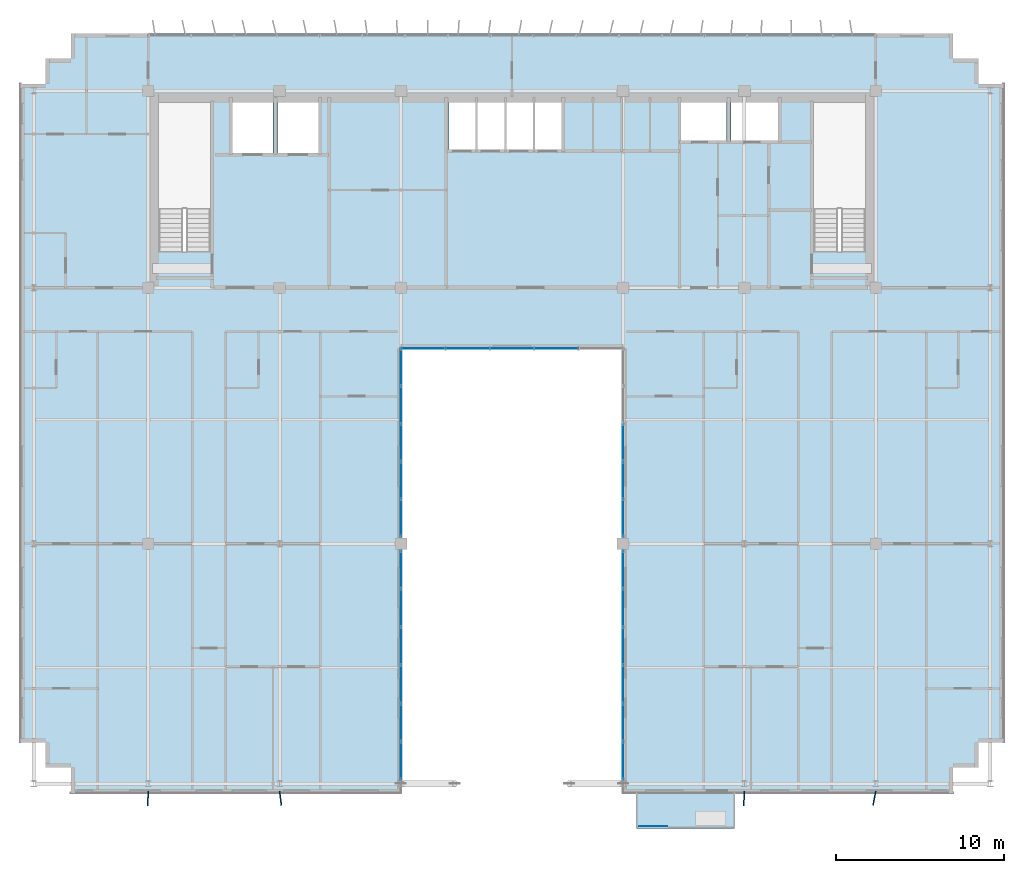
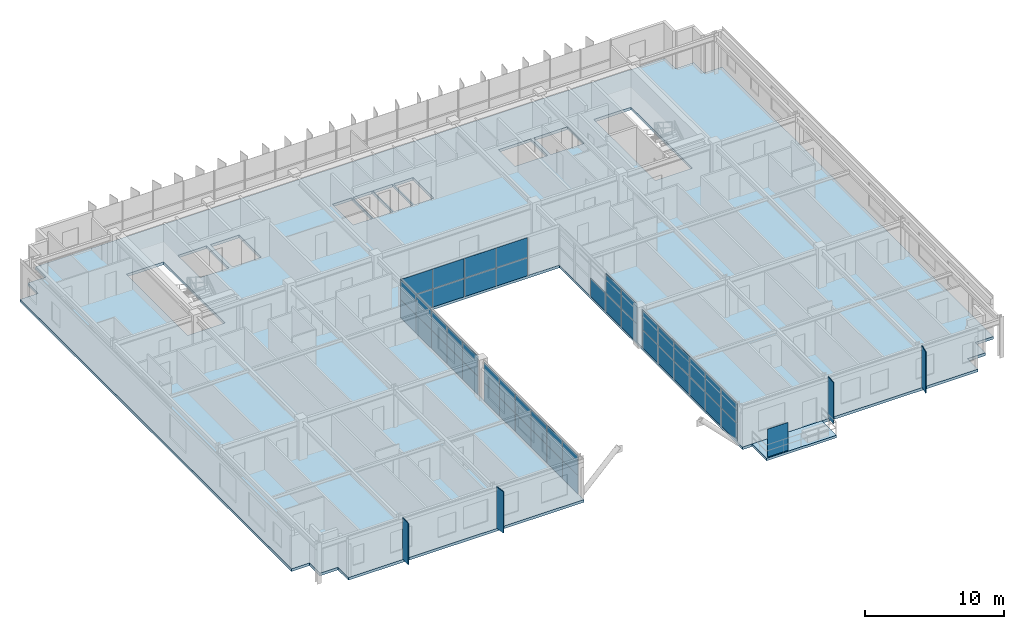
# One storey, part 25 of 34: 52 plates, 2 slabs, 5 elements without a shape of their own.
"""IFC4 building model written with IfcOpenShell, lengths in metres."""

from ifc_helpers import new_model, si_unit, direction, frame, origin, origin_2d, place, context, subcontext, project, spatial, polyline, rectangle, outline, extrude, source, transform, mapped, material, layer, layer_set, type_object, element, aggregate, save


model = new_model("IFC4")

# Units and contexts
model_context = context("Model", 3, precision=1e-05, world=origin(), true_north=direction((0.0, 1.0)))
body_context = subcontext(model_context, "Body", "Model", "MODEL_VIEW")
ifc_project = project(units=[si_unit("LENGTHUNIT", "METRE"), si_unit("AREAUNIT", "SQUARE_METRE"), si_unit("VOLUMEUNIT", "CUBIC_METRE"), si_unit("PLANEANGLEUNIT", "RADIAN"), si_unit("MASSUNIT", "GRAM", prefix="KILO")], contexts=[model_context])

# Site, building, storey
site_placement = place(None, origin())
site = spatial("IfcSite", under=ifc_project, at=site_placement, CompositionType="ELEMENT")
building_placement = place(site_placement, origin())
building = spatial("IfcBuilding", under=site, at=building_placement, Name="Trelvane Seafront Commons", CompositionType="ELEMENT")
storey_placement = place(building_placement, frame((0.0, 0.0, 197.699951171875)))
storey = spatial("IfcBuildingStorey", under=building, at=storey_placement, Name="L51", CompositionType="ELEMENT", Elevation=197.699951171875)

# Slabs
ifc_material_1 = material(Name="Concrete C40/50", Category="concrete")
ifc_layer_1 = layer(ifc_material_1, 0.219970703125, Name="ARCH-BALC-220")
ifc_layer_set_1 = layer_set([ifc_layer_1], Name="Concrete C40/50")
slab_type_1 = type_object("IfcSlabType", Name="ARCH-BALC-220", PredefinedType="FLOOR", material=ifc_layer_set_1)
slab_1_placement = place(storey_placement, frame((0.0, 0.0, -0.219970703125)))
element("IfcSlab", 1, at=slab_1_placement, inside=storey, type_object=slab_type_1, Name="L51 Cantilevered Tree Balcony Loggia 2", PredefinedType="FLOOR", context=body_context, shape_type="SweptSolid", body=[
    extrude(outline(polyline([(44.60009765625, 1.300048828125), (50.39990234375, 1.300048828125), (50.39990234375, 3.39990234375), (44.60009765625, 3.39990234375), (44.60009765625, 1.300048828125)])), origin(), (0.0, 0.0, 1.0), 0.219970703125),
])
ifc_material_2 = material(Name="Concrete C50/60", Category="concrete")
ifc_layer_2 = layer(ifc_material_2, 0.239990234375, Name="STR-SLB-Z4-240")
ifc_layer_set_2 = layer_set([ifc_layer_2], Name="Concrete C50/60")
slab_type_2 = type_object("IfcSlabType", Name="STR-SLB-Z4-240", PredefinedType="FLOOR", material=ifc_layer_set_2)
slab_2_placement = place(storey_placement, frame((0.0, 0.0, -0.239990234375)))
element("IfcSlab", 2, at=slab_2_placement, inside=storey, type_object=slab_type_2, Name="L51 Structural Floor Slab", PredefinedType="FLOOR", context=body_context, shape_type="SweptSolid", body=[
    extrude(outline(polyline([(11.0, 3.39990234375), (30.60009765625, 3.39990234375), (30.60009765625, 29.800048828125), (43.800048828125, 29.800048828125), (43.800048828125, 3.39990234375), (63.39990234375, 3.39990234375), (63.39990234375, 4.89990234375), (64.89990234375, 4.89990234375), (64.89990234375, 6.39990234375), (66.39990234375, 6.39990234375), (66.39990234375, 45.5), (64.89990234375, 45.5), (64.89990234375, 47.0), (63.39990234375, 47.0), (63.39990234375, 48.5), (11.0, 48.5), (11.0, 47.0), (9.5, 47.0), (9.5, 45.5), (8.0, 45.5), (8.0, 6.39990234375), (9.5, 6.39990234375), (9.5, 4.89990234375), (11.0, 4.89990234375), (11.0, 3.39990234375)]), holes=[polyline([(19.300048828125, 35.550048828125), (16.199951171875, 35.550048828125), (16.199951171875, 44.39990234375), (19.300048828125, 44.39990234375), (19.300048828125, 35.550048828125)]), polyline([(58.199951171875, 35.550048828125), (55.10009765625, 35.550048828125), (55.10009765625, 44.39990234375), (58.199951171875, 44.39990234375), (58.199951171875, 35.550048828125)]), polyline([(23.0, 41.39990234375), (20.60009765625, 41.39990234375), (20.60009765625, 44.60009765625), (23.0, 44.60009765625), (23.0, 41.39990234375)]), polyline([(23.300048828125, 41.39990234375), (23.300048828125, 44.60009765625), (25.699951171875, 44.60009765625), (25.699951171875, 41.39990234375), (23.300048828125, 41.39990234375)]), polyline([(33.449951171875, 41.60009765625), (33.449951171875, 44.60009765625), (35.070068359375, 44.60009765625), (35.070068359375, 41.60009765625), (33.449951171875, 41.60009765625)]), polyline([(36.77001953125, 41.60009765625), (35.14990234375, 41.60009765625), (35.14990234375, 44.60009765625), (36.77001953125, 44.60009765625), (36.77001953125, 41.60009765625)]), polyline([(38.469970703125, 41.60009765625), (36.85009765625, 41.60009765625), (36.85009765625, 44.60009765625), (38.469970703125, 44.60009765625), (38.469970703125, 41.60009765625)]), polyline([(40.169921875, 41.60009765625), (38.550048828125, 41.60009765625), (38.550048828125, 44.60009765625), (40.169921875, 44.60009765625), (40.169921875, 41.60009765625)]), polyline([(47.25, 42.14990234375), (47.25, 44.550048828125), (49.949951171875, 44.550048828125), (49.949951171875, 42.14990234375), (47.25, 42.14990234375)]), polyline([(50.199951171875, 42.14990234375), (50.199951171875, 44.550048828125), (53.0, 44.550048828125), (53.0, 42.14990234375), (50.199951171875, 42.14990234375)])]), origin(), (0.0, 0.0, 1.0), 0.239990234375),
])

# Plates
ifc_material_3 = material(Name="Perforated anodised aluminium screen", Category="aluminium")
ifc_layer_3 = layer(ifc_material_3, 0.01611328125, Name="ARCH-PLATE-SCREEN")
ifc_layer_set_3 = layer_set([ifc_layer_3], Name="Perforated anodised aluminium screen")
plate_type_1 = type_object("IfcPlateType", Name="ARCH-PLATE-SCREEN", PredefinedType="USERDEFINED", material=ifc_layer_set_3)
shared_shape_1 = source(origin(), body_context, "Body", "SweptSolid", [
    extrude(rectangle(XDim=1.681884765625, YDim=0.01611328125, at=origin_2d()), origin(), (0.0, 0.0, 1.0), 2.449951171875),
])
plate_1_placement = place(storey_placement, frame((45.591064453125, 1.419921875, 0.0), z_axis=(0.0, 0.0, 1.0), x_axis=(1.0, 0.0, 0.0)))
element("IfcPlate", 3, at=plate_1_placement, inside=storey, type_object=plate_type_1, Name="SCR-L51-00180", ObjectType="SCREEN", PredefinedType="USERDEFINED", context=body_context, shape_type="MappedRepresentation", body=[
    mapped(shared_shape_1, transform((0.0, 0.0, 0.0), x_axis=(1.0, 0.0, 0.0), y_axis=(0.0, 1.0, 0.0), z_axis=(0.0, 0.0, 1.0), scale=1.0)),
])
ifc_material_4 = material(Name="Anodised pale-silver aluminium", Category="aluminium")
ifc_layer_4 = layer(ifc_material_4, 0.06005859375, Name="ARCH-PLATE-FIN900")
ifc_layer_set_4 = layer_set([ifc_layer_4], Name="Anodised pale-silver aluminium")
plate_type_2 = type_object("IfcPlateType", Name="ARCH-PLATE-FIN900", PredefinedType="USERDEFINED", material=ifc_layer_set_4)
shared_shape_2 = source(origin(), body_context, "Body", "SweptSolid", [
    extrude(rectangle(XDim=0.85009765625, YDim=0.06005859375, at=origin_2d()), origin(), (0.0, 0.0, 1.0), 3.639892578125),
])
for number, where, z_axis, x_axis, name in (
    (4, (15.581787109375, 3.075439453125, -0.02001953125), (0.0, 0.0, 1.0), (-0.042707430911, -0.999087621455, 0.0), "FIN-S-L51-01417"),
    (5, (50.981201171875, 3.075439453125, -0.02001953125), (0.0, 0.0, 1.0), (-0.044351716176, -0.999015978487, 0.0), "FIN-S-L51-01419"),
    (6, (58.72021484375, 3.08251953125, -0.02001953125), (0.0, 0.0, 1.0), (-0.187647042, -0.982236523261, 0.0), "FIN-S-L51-01420"),
):
    element("IfcPlate", number, at=place(storey_placement, frame(where, z_axis=z_axis, x_axis=x_axis)), inside=storey, type_object=plate_type_2, Name=name, ObjectType="FIN", PredefinedType="USERDEFINED", context=body_context, shape_type="MappedRepresentation", body=[
        mapped(shared_shape_2, transform((0.0, 0.0, 0.0), x_axis=(1.0, 0.0, 0.0), y_axis=(0.0, 1.0, 0.0), z_axis=(0.0, 0.0, 1.0), scale=1.0)),
    ])
shared_shape_3 = source(origin(), body_context, "Body", "SweptSolid", [
    extrude(rectangle(XDim=0.849853515625, YDim=0.06005859375, at=origin_2d()), origin(), (0.0, 0.0, 1.0), 3.639892578125),
])
plate_2_placement = place(storey_placement, frame((23.451904296875, 3.078125, -0.02001953125), z_axis=(0.0, 0.0, 1.0), x_axis=(0.122007927803, -0.992529125796, 0.0)))
element("IfcPlate", 7, at=plate_2_placement, inside=storey, type_object=plate_type_2, Name="FIN-S-L51-01418", ObjectType="FIN", PredefinedType="USERDEFINED", context=body_context, shape_type="MappedRepresentation", body=[
    mapped(shared_shape_3, transform((0.0, 0.0, 0.0), x_axis=(1.0, 0.0, 0.0), y_axis=(0.0, 1.0, 0.0), z_axis=(0.0, 0.0, 1.0), scale=1.0)),
])

# Curtain wall, plates
curtain_wall_type = type_object("IfcCurtainWallType", Name="ARCH-CW3-PORTAL", PredefinedType="NOTDEFINED", material=ifc_material_4)
curtain_wall_1_placement = place(storey_placement, origin())
curtain_wall_1 = element("IfcCurtainWall", 8, at=curtain_wall_1_placement, inside=storey, type_object=curtain_wall_type, Name="CW-L51-VP-0085", PredefinedType="NOTDEFINED")
ifc_material_5 = material(Name="Low-E coastal double glazing", Category="glass")
ifc_layer_5 = layer(ifc_material_5, 0.033935546875, Name="ARCH-CW-GLAZ-34")
ifc_layer_set_5 = layer_set([ifc_layer_5], Name="Low-E coastal double glazing")
plate_type_3 = type_object("IfcPlateType", Name="ARCH-CW-GLAZ-34", PredefinedType="CURTAIN_PANEL", material=ifc_layer_set_5)
shared_shape_4 = source(origin(), body_context, "Body", "SweptSolid", [
    extrude(rectangle(XDim=2.246826171875, YDim=0.0380859375, at=origin_2d()), origin(), (0.0, 0.0, 1.0), 1.594970703125),
])
plate_3_placement = place(storey_placement, frame((30.60009765625, 5.310302734375, 0.0), z_axis=(0.0, 0.0, 1.0), x_axis=(0.0, 1.0, 0.0)))
plate_3 = element("IfcPlate", 9, at=plate_3_placement, type_object=plate_type_3, Name="CW-L51-VP-0085-P00-1", PredefinedType="CURTAIN_PANEL", context=body_context, shape_type="MappedRepresentation", body=[
    mapped(shared_shape_4, transform((0.0, 0.0, 0.0), x_axis=(1.0, 0.0, 0.0), y_axis=(0.0, 1.0, 0.0), z_axis=(0.0, 0.0, 1.0), scale=1.0)),
])
plate_4_placement = place(storey_placement, frame((30.60009765625, 7.581298828125, 0.0), z_axis=(0.0, 0.0, 1.0), x_axis=(0.0, 1.0, 0.0)))
plate_4 = element("IfcPlate", 10, at=plate_4_placement, type_object=plate_type_3, Name="CW-L51-VP-0085-P01-1", PredefinedType="CURTAIN_PANEL", context=body_context, shape_type="MappedRepresentation", body=[
    mapped(shared_shape_4, transform((0.0, 0.0, 0.0), x_axis=(1.0, 0.0, 0.0), y_axis=(0.0, 1.0, 0.0), z_axis=(0.0, 0.0, 1.0), scale=1.0)),
])
plate_5_placement = place(storey_placement, frame((30.60009765625, 9.85205078125, 0.0), z_axis=(0.0, 0.0, 1.0), x_axis=(0.0, 1.0, 0.0)))
plate_5 = element("IfcPlate", 11, at=plate_5_placement, type_object=plate_type_3, Name="CW-L51-VP-0085-P02-1", PredefinedType="CURTAIN_PANEL", context=body_context, shape_type="MappedRepresentation", body=[
    mapped(shared_shape_4, transform((0.0, 0.0, 0.0), x_axis=(1.0, 0.0, 0.0), y_axis=(0.0, 1.0, 0.0), z_axis=(0.0, 0.0, 1.0), scale=1.0)),
])
plate_6_placement = place(storey_placement, frame((30.60009765625, 12.122802734375, 0.0), z_axis=(0.0, 0.0, 1.0), x_axis=(0.0, 1.0, 0.0)))
plate_6 = element("IfcPlate", 12, at=plate_6_placement, type_object=plate_type_3, Name="CW-L51-VP-0085-P03-1", PredefinedType="CURTAIN_PANEL", context=body_context, shape_type="MappedRepresentation", body=[
    mapped(shared_shape_4, transform((0.0, 0.0, 0.0), x_axis=(1.0, 0.0, 0.0), y_axis=(0.0, 1.0, 0.0), z_axis=(0.0, 0.0, 1.0), scale=1.0)),
])
plate_7_placement = place(storey_placement, frame((30.60009765625, 14.393798828125, 0.0), z_axis=(0.0, 0.0, 1.0), x_axis=(0.0, 1.0, 0.0)))
plate_7 = element("IfcPlate", 13, at=plate_7_placement, type_object=plate_type_3, Name="CW-L51-VP-0085-P04-1", PredefinedType="CURTAIN_PANEL", context=body_context, shape_type="MappedRepresentation", body=[
    mapped(shared_shape_4, transform((0.0, 0.0, 0.0), x_axis=(1.0, 0.0, 0.0), y_axis=(0.0, 1.0, 0.0), z_axis=(0.0, 0.0, 1.0), scale=1.0)),
])
plate_8_placement = place(storey_placement, frame((30.60009765625, 16.66455078125, 0.0), z_axis=(0.0, 0.0, 1.0), x_axis=(0.0, 1.0, 0.0)))
plate_8 = element("IfcPlate", 14, at=plate_8_placement, type_object=plate_type_3, Name="CW-L51-VP-0085-P05-1", PredefinedType="CURTAIN_PANEL", context=body_context, shape_type="MappedRepresentation", body=[
    mapped(shared_shape_4, transform((0.0, 0.0, 0.0), x_axis=(1.0, 0.0, 0.0), y_axis=(0.0, 1.0, 0.0), z_axis=(0.0, 0.0, 1.0), scale=1.0)),
])

curtain_wall_2_placement = place(storey_placement, origin())
curtain_wall_2 = element("IfcCurtainWall", 15, at=curtain_wall_2_placement, inside=storey, type_object=curtain_wall_type, Name="CW-L51-VP-0089", PredefinedType="NOTDEFINED")
plate_9_placement = place(storey_placement, frame((43.800048828125, 16.66455078125, 0.0), z_axis=(0.0, 0.0, 1.0), x_axis=(0.0, -1.0, 0.0)))
plate_9 = element("IfcPlate", 16, at=plate_9_placement, type_object=plate_type_3, Name="CW-L51-VP-0089-P00-1", PredefinedType="CURTAIN_PANEL", context=body_context, shape_type="MappedRepresentation", body=[
    mapped(shared_shape_4, transform((0.0, 0.0, 0.0), x_axis=(1.0, 0.0, 0.0), y_axis=(0.0, 1.0, 0.0), z_axis=(0.0, 0.0, 1.0), scale=1.0)),
])
plate_10_placement = place(storey_placement, frame((43.800048828125, 14.393798828125, 0.0), z_axis=(0.0, 0.0, 1.0), x_axis=(0.0, -1.0, 0.0)))
plate_10 = element("IfcPlate", 17, at=plate_10_placement, type_object=plate_type_3, Name="CW-L51-VP-0089-P01-1", PredefinedType="CURTAIN_PANEL", context=body_context, shape_type="MappedRepresentation", body=[
    mapped(shared_shape_4, transform((0.0, 0.0, 0.0), x_axis=(1.0, 0.0, 0.0), y_axis=(0.0, 1.0, 0.0), z_axis=(0.0, 0.0, 1.0), scale=1.0)),
])
plate_11_placement = place(storey_placement, frame((43.800048828125, 12.122802734375, 0.0), z_axis=(0.0, 0.0, 1.0), x_axis=(0.0, -1.0, 0.0)))
plate_11 = element("IfcPlate", 18, at=plate_11_placement, type_object=plate_type_3, Name="CW-L51-VP-0089-P02-1", PredefinedType="CURTAIN_PANEL", context=body_context, shape_type="MappedRepresentation", body=[
    mapped(shared_shape_4, transform((0.0, 0.0, 0.0), x_axis=(1.0, 0.0, 0.0), y_axis=(0.0, 1.0, 0.0), z_axis=(0.0, 0.0, 1.0), scale=1.0)),
])
plate_12_placement = place(storey_placement, frame((43.800048828125, 9.85205078125, 0.0), z_axis=(0.0, 0.0, 1.0), x_axis=(0.0, -1.0, 0.0)))
plate_12 = element("IfcPlate", 19, at=plate_12_placement, type_object=plate_type_3, Name="CW-L51-VP-0089-P03-1", PredefinedType="CURTAIN_PANEL", context=body_context, shape_type="MappedRepresentation", body=[
    mapped(shared_shape_4, transform((0.0, 0.0, 0.0), x_axis=(1.0, 0.0, 0.0), y_axis=(0.0, 1.0, 0.0), z_axis=(0.0, 0.0, 1.0), scale=1.0)),
])
plate_13_placement = place(storey_placement, frame((43.800048828125, 7.581298828125, 0.0), z_axis=(0.0, 0.0, 1.0), x_axis=(0.0, -1.0, 0.0)))
plate_13 = element("IfcPlate", 20, at=plate_13_placement, type_object=plate_type_3, Name="CW-L51-VP-0089-P04-1", PredefinedType="CURTAIN_PANEL", context=body_context, shape_type="MappedRepresentation", body=[
    mapped(shared_shape_4, transform((0.0, 0.0, 0.0), x_axis=(1.0, 0.0, 0.0), y_axis=(0.0, 1.0, 0.0), z_axis=(0.0, 0.0, 1.0), scale=1.0)),
])
plate_14_placement = place(storey_placement, frame((43.800048828125, 5.310302734375, 0.0), z_axis=(0.0, 0.0, 1.0), x_axis=(0.0, -1.0, 0.0)))
plate_14 = element("IfcPlate", 21, at=plate_14_placement, type_object=plate_type_3, Name="CW-L51-VP-0089-P05-1", PredefinedType="CURTAIN_PANEL", context=body_context, shape_type="MappedRepresentation", body=[
    mapped(shared_shape_4, transform((0.0, 0.0, 0.0), x_axis=(1.0, 0.0, 0.0), y_axis=(0.0, 1.0, 0.0), z_axis=(0.0, 0.0, 1.0), scale=1.0)),
])

# Plate
shared_shape_5 = source(origin(), body_context, "Body", "SweptSolid", [
    extrude(rectangle(XDim=2.246826171875, YDim=0.0380859375, at=origin_2d()), origin(), (0.0, 0.0, 1.0), 1.72900390625),
])
plate_15_placement = place(storey_placement, frame((30.60009765625, 5.310302734375, 1.631103515625), z_axis=(0.0, 0.0, 1.0), x_axis=(0.0, 1.0, 0.0)))
plate_15 = element("IfcPlate", 22, at=plate_15_placement, type_object=plate_type_3, Name="CW-L51-VP-0085-P00-2", PredefinedType="CURTAIN_PANEL", context=body_context, shape_type="MappedRepresentation", body=[
    mapped(shared_shape_5, transform((0.0, 0.0, 0.0), x_axis=(1.0, 0.0, 0.0), y_axis=(0.0, 1.0, 0.0), z_axis=(0.0, 0.0, 1.0), scale=1.0)),
])

plate_16_placement = place(storey_placement, frame((30.60009765625, 7.581298828125, 1.631103515625), z_axis=(0.0, 0.0, 1.0), x_axis=(0.0, 1.0, 0.0)))
plate_16 = element("IfcPlate", 23, at=plate_16_placement, type_object=plate_type_3, Name="CW-L51-VP-0085-P01-2", PredefinedType="CURTAIN_PANEL", context=body_context, shape_type="MappedRepresentation", body=[
    mapped(shared_shape_5, transform((0.0, 0.0, 0.0), x_axis=(1.0, 0.0, 0.0), y_axis=(0.0, 1.0, 0.0), z_axis=(0.0, 0.0, 1.0), scale=1.0)),
])

plate_17_placement = place(storey_placement, frame((30.60009765625, 9.85205078125, 1.631103515625), z_axis=(0.0, 0.0, 1.0), x_axis=(0.0, 1.0, 0.0)))
plate_17 = element("IfcPlate", 24, at=plate_17_placement, type_object=plate_type_3, Name="CW-L51-VP-0085-P02-2", PredefinedType="CURTAIN_PANEL", context=body_context, shape_type="MappedRepresentation", body=[
    mapped(shared_shape_5, transform((0.0, 0.0, 0.0), x_axis=(1.0, 0.0, 0.0), y_axis=(0.0, 1.0, 0.0), z_axis=(0.0, 0.0, 1.0), scale=1.0)),
])

plate_18_placement = place(storey_placement, frame((30.60009765625, 12.122802734375, 1.631103515625), z_axis=(0.0, 0.0, 1.0), x_axis=(0.0, 1.0, 0.0)))
plate_18 = element("IfcPlate", 25, at=plate_18_placement, type_object=plate_type_3, Name="CW-L51-VP-0085-P03-2", PredefinedType="CURTAIN_PANEL", context=body_context, shape_type="MappedRepresentation", body=[
    mapped(shared_shape_5, transform((0.0, 0.0, 0.0), x_axis=(1.0, 0.0, 0.0), y_axis=(0.0, 1.0, 0.0), z_axis=(0.0, 0.0, 1.0), scale=1.0)),
])

plate_19_placement = place(storey_placement, frame((30.60009765625, 14.393798828125, 1.631103515625), z_axis=(0.0, 0.0, 1.0), x_axis=(0.0, 1.0, 0.0)))
plate_19 = element("IfcPlate", 26, at=plate_19_placement, type_object=plate_type_3, Name="CW-L51-VP-0085-P04-2", PredefinedType="CURTAIN_PANEL", context=body_context, shape_type="MappedRepresentation", body=[
    mapped(shared_shape_5, transform((0.0, 0.0, 0.0), x_axis=(1.0, 0.0, 0.0), y_axis=(0.0, 1.0, 0.0), z_axis=(0.0, 0.0, 1.0), scale=1.0)),
])

plate_20_placement = place(storey_placement, frame((30.60009765625, 16.66455078125, 1.631103515625), z_axis=(0.0, 0.0, 1.0), x_axis=(0.0, 1.0, 0.0)))
plate_20 = element("IfcPlate", 27, at=plate_20_placement, type_object=plate_type_3, Name="CW-L51-VP-0085-P05-2", PredefinedType="CURTAIN_PANEL", context=body_context, shape_type="MappedRepresentation", body=[
    mapped(shared_shape_5, transform((0.0, 0.0, 0.0), x_axis=(1.0, 0.0, 0.0), y_axis=(0.0, 1.0, 0.0), z_axis=(0.0, 0.0, 1.0), scale=1.0)),
])

aggregate(curtain_wall_1, [plate_3, plate_15, plate_4, plate_16, plate_5, plate_17, plate_6, plate_18, plate_7, plate_19, plate_8, plate_20])

plate_21_placement = place(storey_placement, frame((43.800048828125, 16.66455078125, 1.631103515625), z_axis=(0.0, 0.0, 1.0), x_axis=(0.0, -1.0, 0.0)))
plate_21 = element("IfcPlate", 28, at=plate_21_placement, type_object=plate_type_3, Name="CW-L51-VP-0089-P00-2", PredefinedType="CURTAIN_PANEL", context=body_context, shape_type="MappedRepresentation", body=[
    mapped(shared_shape_5, transform((0.0, 0.0, 0.0), x_axis=(1.0, 0.0, 0.0), y_axis=(0.0, 1.0, 0.0), z_axis=(0.0, 0.0, 1.0), scale=1.0)),
])

plate_22_placement = place(storey_placement, frame((43.800048828125, 14.393798828125, 1.631103515625), z_axis=(0.0, 0.0, 1.0), x_axis=(0.0, -1.0, 0.0)))
plate_22 = element("IfcPlate", 29, at=plate_22_placement, type_object=plate_type_3, Name="CW-L51-VP-0089-P01-2", PredefinedType="CURTAIN_PANEL", context=body_context, shape_type="MappedRepresentation", body=[
    mapped(shared_shape_5, transform((0.0, 0.0, 0.0), x_axis=(1.0, 0.0, 0.0), y_axis=(0.0, 1.0, 0.0), z_axis=(0.0, 0.0, 1.0), scale=1.0)),
])

plate_23_placement = place(storey_placement, frame((43.800048828125, 12.122802734375, 1.631103515625), z_axis=(0.0, 0.0, 1.0), x_axis=(0.0, -1.0, 0.0)))
plate_23 = element("IfcPlate", 30, at=plate_23_placement, type_object=plate_type_3, Name="CW-L51-VP-0089-P02-2", PredefinedType="CURTAIN_PANEL", context=body_context, shape_type="MappedRepresentation", body=[
    mapped(shared_shape_5, transform((0.0, 0.0, 0.0), x_axis=(1.0, 0.0, 0.0), y_axis=(0.0, 1.0, 0.0), z_axis=(0.0, 0.0, 1.0), scale=1.0)),
])

plate_24_placement = place(storey_placement, frame((43.800048828125, 9.85205078125, 1.631103515625), z_axis=(0.0, 0.0, 1.0), x_axis=(0.0, -1.0, 0.0)))
plate_24 = element("IfcPlate", 31, at=plate_24_placement, type_object=plate_type_3, Name="CW-L51-VP-0089-P03-2", PredefinedType="CURTAIN_PANEL", context=body_context, shape_type="MappedRepresentation", body=[
    mapped(shared_shape_5, transform((0.0, 0.0, 0.0), x_axis=(1.0, 0.0, 0.0), y_axis=(0.0, 1.0, 0.0), z_axis=(0.0, 0.0, 1.0), scale=1.0)),
])

plate_25_placement = place(storey_placement, frame((43.800048828125, 7.581298828125, 1.631103515625), z_axis=(0.0, 0.0, 1.0), x_axis=(0.0, -1.0, 0.0)))
plate_25 = element("IfcPlate", 32, at=plate_25_placement, type_object=plate_type_3, Name="CW-L51-VP-0089-P04-2", PredefinedType="CURTAIN_PANEL", context=body_context, shape_type="MappedRepresentation", body=[
    mapped(shared_shape_5, transform((0.0, 0.0, 0.0), x_axis=(1.0, 0.0, 0.0), y_axis=(0.0, 1.0, 0.0), z_axis=(0.0, 0.0, 1.0), scale=1.0)),
])

plate_26_placement = place(storey_placement, frame((43.800048828125, 5.310302734375, 1.631103515625), z_axis=(0.0, 0.0, 1.0), x_axis=(0.0, -1.0, 0.0)))
plate_26 = element("IfcPlate", 33, at=plate_26_placement, type_object=plate_type_3, Name="CW-L51-VP-0089-P05-2", PredefinedType="CURTAIN_PANEL", context=body_context, shape_type="MappedRepresentation", body=[
    mapped(shared_shape_5, transform((0.0, 0.0, 0.0), x_axis=(1.0, 0.0, 0.0), y_axis=(0.0, 1.0, 0.0), z_axis=(0.0, 0.0, 1.0), scale=1.0)),
])

aggregate(curtain_wall_2, [plate_9, plate_21, plate_10, plate_22, plate_11, plate_23, plate_12, plate_24, plate_13, plate_25, plate_14, plate_26])

# Curtain wall, plates
curtain_wall_3_placement = place(storey_placement, origin())
curtain_wall_3 = element("IfcCurtainWall", 34, at=curtain_wall_3_placement, inside=storey, type_object=curtain_wall_type, Name="CW-L51-VP-0086", PredefinedType="NOTDEFINED")
shared_shape_6 = source(origin(), body_context, "Body", "SweptSolid", [
    extrude(rectangle(XDim=2.216064453125, YDim=0.0380859375, at=origin_2d()), origin(), (0.0, 0.0, 1.0), 1.594970703125),
])
plate_27_placement = place(storey_placement, frame((30.60009765625, 19.719970703125, 0.0), z_axis=(0.0, 0.0, 1.0), x_axis=(0.0, 1.0, 0.0)))
plate_27 = element("IfcPlate", 35, at=plate_27_placement, type_object=plate_type_3, Name="CW-L51-VP-0086-P00-1", PredefinedType="CURTAIN_PANEL", context=body_context, shape_type="MappedRepresentation", body=[
    mapped(shared_shape_6, transform((0.0, 0.0, 0.0), x_axis=(1.0, 0.0, 0.0), y_axis=(0.0, 1.0, 0.0), z_axis=(0.0, 0.0, 1.0), scale=1.0)),
])
plate_28_placement = place(storey_placement, frame((30.60009765625, 21.9599609375, 0.0), z_axis=(0.0, 0.0, 1.0), x_axis=(0.0, 1.0, 0.0)))
plate_28 = element("IfcPlate", 36, at=plate_28_placement, type_object=plate_type_3, Name="CW-L51-VP-0086-P01-1", PredefinedType="CURTAIN_PANEL", context=body_context, shape_type="MappedRepresentation", body=[
    mapped(shared_shape_6, transform((0.0, 0.0, 0.0), x_axis=(1.0, 0.0, 0.0), y_axis=(0.0, 1.0, 0.0), z_axis=(0.0, 0.0, 1.0), scale=1.0)),
])
plate_29_placement = place(storey_placement, frame((30.60009765625, 24.199951171875, 0.0), z_axis=(0.0, 0.0, 1.0), x_axis=(0.0, 1.0, 0.0)))
plate_29 = element("IfcPlate", 37, at=plate_29_placement, type_object=plate_type_3, Name="CW-L51-VP-0086-P02-1", PredefinedType="CURTAIN_PANEL", context=body_context, shape_type="MappedRepresentation", body=[
    mapped(shared_shape_6, transform((0.0, 0.0, 0.0), x_axis=(1.0, 0.0, 0.0), y_axis=(0.0, 1.0, 0.0), z_axis=(0.0, 0.0, 1.0), scale=1.0)),
])
plate_30_placement = place(storey_placement, frame((30.60009765625, 26.43994140625, 0.0), z_axis=(0.0, 0.0, 1.0), x_axis=(0.0, 1.0, 0.0)))
plate_30 = element("IfcPlate", 38, at=plate_30_placement, type_object=plate_type_3, Name="CW-L51-VP-0086-P03-1", PredefinedType="CURTAIN_PANEL", context=body_context, shape_type="MappedRepresentation", body=[
    mapped(shared_shape_6, transform((0.0, 0.0, 0.0), x_axis=(1.0, 0.0, 0.0), y_axis=(0.0, 1.0, 0.0), z_axis=(0.0, 0.0, 1.0), scale=1.0)),
])
plate_31_placement = place(storey_placement, frame((30.60009765625, 28.679931640625, 0.0), z_axis=(0.0, 0.0, 1.0), x_axis=(0.0, 1.0, 0.0)))
plate_31 = element("IfcPlate", 39, at=plate_31_placement, type_object=plate_type_3, Name="CW-L51-VP-0086-P04-1", PredefinedType="CURTAIN_PANEL", context=body_context, shape_type="MappedRepresentation", body=[
    mapped(shared_shape_6, transform((0.0, 0.0, 0.0), x_axis=(1.0, 0.0, 0.0), y_axis=(0.0, 1.0, 0.0), z_axis=(0.0, 0.0, 1.0), scale=1.0)),
])

curtain_wall_4_placement = place(storey_placement, origin())
curtain_wall_4 = element("IfcCurtainWall", 40, at=curtain_wall_4_placement, inside=storey, type_object=curtain_wall_type, Name="CW-L51-VP-0088", PredefinedType="NOTDEFINED")
plate_32_placement = place(storey_placement, frame((43.800048828125, 24.199951171875, 0.0), z_axis=(0.0, 0.0, 1.0), x_axis=(0.0, -1.0, 0.0)))
plate_32 = element("IfcPlate", 41, at=plate_32_placement, type_object=plate_type_3, Name="CW-L51-VP-0088-P02-1", PredefinedType="CURTAIN_PANEL", context=body_context, shape_type="MappedRepresentation", body=[
    mapped(shared_shape_6, transform((0.0, 0.0, 0.0), x_axis=(1.0, 0.0, 0.0), y_axis=(0.0, 1.0, 0.0), z_axis=(0.0, 0.0, 1.0), scale=1.0)),
])
plate_33_placement = place(storey_placement, frame((43.800048828125, 21.9599609375, 0.0), z_axis=(0.0, 0.0, 1.0), x_axis=(0.0, -1.0, 0.0)))
plate_33 = element("IfcPlate", 42, at=plate_33_placement, type_object=plate_type_3, Name="CW-L51-VP-0088-P03-1", PredefinedType="CURTAIN_PANEL", context=body_context, shape_type="MappedRepresentation", body=[
    mapped(shared_shape_6, transform((0.0, 0.0, 0.0), x_axis=(1.0, 0.0, 0.0), y_axis=(0.0, 1.0, 0.0), z_axis=(0.0, 0.0, 1.0), scale=1.0)),
])
plate_34_placement = place(storey_placement, frame((43.800048828125, 19.719970703125, 0.0), z_axis=(0.0, 0.0, 1.0), x_axis=(0.0, -1.0, 0.0)))
plate_34 = element("IfcPlate", 43, at=plate_34_placement, type_object=plate_type_3, Name="CW-L51-VP-0088-P04-1", PredefinedType="CURTAIN_PANEL", context=body_context, shape_type="MappedRepresentation", body=[
    mapped(shared_shape_6, transform((0.0, 0.0, 0.0), x_axis=(1.0, 0.0, 0.0), y_axis=(0.0, 1.0, 0.0), z_axis=(0.0, 0.0, 1.0), scale=1.0)),
])

# Plate
shared_shape_7 = source(origin(), body_context, "Body", "SweptSolid", [
    extrude(rectangle(XDim=2.216064453125, YDim=0.0380859375, at=origin_2d()), origin(), (0.0, 0.0, 1.0), 1.72900390625),
])
plate_35_placement = place(storey_placement, frame((30.60009765625, 19.719970703125, 1.631103515625), z_axis=(0.0, 0.0, 1.0), x_axis=(0.0, 1.0, 0.0)))
plate_35 = element("IfcPlate", 44, at=plate_35_placement, type_object=plate_type_3, Name="CW-L51-VP-0086-P00-2", PredefinedType="CURTAIN_PANEL", context=body_context, shape_type="MappedRepresentation", body=[
    mapped(shared_shape_7, transform((0.0, 0.0, 0.0), x_axis=(1.0, 0.0, 0.0), y_axis=(0.0, 1.0, 0.0), z_axis=(0.0, 0.0, 1.0), scale=1.0)),
])

plate_36_placement = place(storey_placement, frame((30.60009765625, 21.9599609375, 1.631103515625), z_axis=(0.0, 0.0, 1.0), x_axis=(0.0, 1.0, 0.0)))
plate_36 = element("IfcPlate", 45, at=plate_36_placement, type_object=plate_type_3, Name="CW-L51-VP-0086-P01-2", PredefinedType="CURTAIN_PANEL", context=body_context, shape_type="MappedRepresentation", body=[
    mapped(shared_shape_7, transform((0.0, 0.0, 0.0), x_axis=(1.0, 0.0, 0.0), y_axis=(0.0, 1.0, 0.0), z_axis=(0.0, 0.0, 1.0), scale=1.0)),
])

plate_37_placement = place(storey_placement, frame((30.60009765625, 24.199951171875, 1.631103515625), z_axis=(0.0, 0.0, 1.0), x_axis=(0.0, 1.0, 0.0)))
plate_37 = element("IfcPlate", 46, at=plate_37_placement, type_object=plate_type_3, Name="CW-L51-VP-0086-P02-2", PredefinedType="CURTAIN_PANEL", context=body_context, shape_type="MappedRepresentation", body=[
    mapped(shared_shape_7, transform((0.0, 0.0, 0.0), x_axis=(1.0, 0.0, 0.0), y_axis=(0.0, 1.0, 0.0), z_axis=(0.0, 0.0, 1.0), scale=1.0)),
])

plate_38_placement = place(storey_placement, frame((30.60009765625, 26.43994140625, 1.631103515625), z_axis=(0.0, 0.0, 1.0), x_axis=(0.0, 1.0, 0.0)))
plate_38 = element("IfcPlate", 47, at=plate_38_placement, type_object=plate_type_3, Name="CW-L51-VP-0086-P03-2", PredefinedType="CURTAIN_PANEL", context=body_context, shape_type="MappedRepresentation", body=[
    mapped(shared_shape_7, transform((0.0, 0.0, 0.0), x_axis=(1.0, 0.0, 0.0), y_axis=(0.0, 1.0, 0.0), z_axis=(0.0, 0.0, 1.0), scale=1.0)),
])

plate_39_placement = place(storey_placement, frame((30.60009765625, 28.679931640625, 1.631103515625), z_axis=(0.0, 0.0, 1.0), x_axis=(0.0, 1.0, 0.0)))
plate_39 = element("IfcPlate", 48, at=plate_39_placement, type_object=plate_type_3, Name="CW-L51-VP-0086-P04-2", PredefinedType="CURTAIN_PANEL", context=body_context, shape_type="MappedRepresentation", body=[
    mapped(shared_shape_7, transform((0.0, 0.0, 0.0), x_axis=(1.0, 0.0, 0.0), y_axis=(0.0, 1.0, 0.0), z_axis=(0.0, 0.0, 1.0), scale=1.0)),
])

aggregate(curtain_wall_3, [plate_27, plate_35, plate_28, plate_36, plate_29, plate_37, plate_30, plate_38, plate_31, plate_39])

plate_40_placement = place(storey_placement, frame((43.800048828125, 21.9599609375, 1.631103515625), z_axis=(0.0, 0.0, 1.0), x_axis=(0.0, -1.0, 0.0)))
plate_40 = element("IfcPlate", 49, at=plate_40_placement, type_object=plate_type_3, Name="CW-L51-VP-0088-P03-2", PredefinedType="CURTAIN_PANEL", context=body_context, shape_type="MappedRepresentation", body=[
    mapped(shared_shape_7, transform((0.0, 0.0, 0.0), x_axis=(1.0, 0.0, 0.0), y_axis=(0.0, 1.0, 0.0), z_axis=(0.0, 0.0, 1.0), scale=1.0)),
])

plate_41_placement = place(storey_placement, frame((43.800048828125, 19.719970703125, 1.631103515625), z_axis=(0.0, 0.0, 1.0), x_axis=(0.0, -1.0, 0.0)))
plate_41 = element("IfcPlate", 50, at=plate_41_placement, type_object=plate_type_3, Name="CW-L51-VP-0088-P04-2", PredefinedType="CURTAIN_PANEL", context=body_context, shape_type="MappedRepresentation", body=[
    mapped(shared_shape_7, transform((0.0, 0.0, 0.0), x_axis=(1.0, 0.0, 0.0), y_axis=(0.0, 1.0, 0.0), z_axis=(0.0, 0.0, 1.0), scale=1.0)),
])

aggregate(curtain_wall_4, [plate_32, plate_33, plate_40, plate_34, plate_41])

# Curtain wall, plates
curtain_wall_5_placement = place(storey_placement, origin())
curtain_wall_5 = element("IfcCurtainWall", 51, at=curtain_wall_5_placement, inside=storey, type_object=curtain_wall_type, Name="CW-L51-VP-0087", PredefinedType="NOTDEFINED")
shared_shape_8 = source(origin(), body_context, "Body", "SweptSolid", [
    extrude(rectangle(XDim=2.615966796875, YDim=0.0380859375, at=origin_2d()), origin(), (0.0, 0.0, 1.0), 1.594970703125),
])
plate_42_placement = place(storey_placement, frame((31.919921875, 29.800048828125, 0.0), z_axis=(0.0, 0.0, 1.0), x_axis=(1.0, 0.0, 0.0)))
plate_42 = element("IfcPlate", 52, at=plate_42_placement, type_object=plate_type_3, Name="CW-L51-VP-0087-P00-1", PredefinedType="CURTAIN_PANEL", context=body_context, shape_type="MappedRepresentation", body=[
    mapped(shared_shape_8, transform((0.0, 0.0, 0.0), x_axis=(1.0, 0.0, 0.0), y_axis=(0.0, 1.0, 0.0), z_axis=(0.0, 0.0, 1.0), scale=1.0)),
])
plate_43_placement = place(storey_placement, frame((34.56005859375, 29.800048828125, 0.0), z_axis=(0.0, 0.0, 1.0), x_axis=(1.0, 0.0, 0.0)))
plate_43 = element("IfcPlate", 53, at=plate_43_placement, type_object=plate_type_3, Name="CW-L51-VP-0087-P01-1", PredefinedType="CURTAIN_PANEL", context=body_context, shape_type="MappedRepresentation", body=[
    mapped(shared_shape_8, transform((0.0, 0.0, 0.0), x_axis=(1.0, 0.0, 0.0), y_axis=(0.0, 1.0, 0.0), z_axis=(0.0, 0.0, 1.0), scale=1.0)),
])
plate_44_placement = place(storey_placement, frame((37.199951171875, 29.800048828125, 0.0), z_axis=(0.0, 0.0, 1.0), x_axis=(1.0, 0.0, 0.0)))
plate_44 = element("IfcPlate", 54, at=plate_44_placement, type_object=plate_type_3, Name="CW-L51-VP-0087-P02-1", PredefinedType="CURTAIN_PANEL", context=body_context, shape_type="MappedRepresentation", body=[
    mapped(shared_shape_8, transform((0.0, 0.0, 0.0), x_axis=(1.0, 0.0, 0.0), y_axis=(0.0, 1.0, 0.0), z_axis=(0.0, 0.0, 1.0), scale=1.0)),
])
plate_45_placement = place(storey_placement, frame((39.840087890625, 29.800048828125, 0.0), z_axis=(0.0, 0.0, 1.0), x_axis=(1.0, 0.0, 0.0)))
plate_45 = element("IfcPlate", 55, at=plate_45_placement, type_object=plate_type_3, Name="CW-L51-VP-0087-P03-1", PredefinedType="CURTAIN_PANEL", context=body_context, shape_type="MappedRepresentation", body=[
    mapped(shared_shape_8, transform((0.0, 0.0, 0.0), x_axis=(1.0, 0.0, 0.0), y_axis=(0.0, 1.0, 0.0), z_axis=(0.0, 0.0, 1.0), scale=1.0)),
])
shared_shape_9 = source(origin(), body_context, "Body", "SweptSolid", [
    extrude(rectangle(XDim=2.615966796875, YDim=0.0380859375, at=origin_2d()), origin(), (0.0, 0.0, 1.0), 1.72900390625),
])
plate_46_placement = place(storey_placement, frame((31.919921875, 29.800048828125, 1.631103515625), z_axis=(0.0, 0.0, 1.0), x_axis=(1.0, 0.0, 0.0)))
plate_46 = element("IfcPlate", 56, at=plate_46_placement, type_object=plate_type_3, Name="CW-L51-VP-0087-P00-2", PredefinedType="CURTAIN_PANEL", context=body_context, shape_type="MappedRepresentation", body=[
    mapped(shared_shape_9, transform((0.0, 0.0, 0.0), x_axis=(1.0, 0.0, 0.0), y_axis=(0.0, 1.0, 0.0), z_axis=(0.0, 0.0, 1.0), scale=1.0)),
])
plate_47_placement = place(storey_placement, frame((34.56005859375, 29.800048828125, 1.631103515625), z_axis=(0.0, 0.0, 1.0), x_axis=(1.0, 0.0, 0.0)))
plate_47 = element("IfcPlate", 57, at=plate_47_placement, type_object=plate_type_3, Name="CW-L51-VP-0087-P01-2", PredefinedType="CURTAIN_PANEL", context=body_context, shape_type="MappedRepresentation", body=[
    mapped(shared_shape_9, transform((0.0, 0.0, 0.0), x_axis=(1.0, 0.0, 0.0), y_axis=(0.0, 1.0, 0.0), z_axis=(0.0, 0.0, 1.0), scale=1.0)),
])
plate_48_placement = place(storey_placement, frame((37.199951171875, 29.800048828125, 1.631103515625), z_axis=(0.0, 0.0, 1.0), x_axis=(1.0, 0.0, 0.0)))
plate_48 = element("IfcPlate", 58, at=plate_48_placement, type_object=plate_type_3, Name="CW-L51-VP-0087-P02-2", PredefinedType="CURTAIN_PANEL", context=body_context, shape_type="MappedRepresentation", body=[
    mapped(shared_shape_9, transform((0.0, 0.0, 0.0), x_axis=(1.0, 0.0, 0.0), y_axis=(0.0, 1.0, 0.0), z_axis=(0.0, 0.0, 1.0), scale=1.0)),
])
plate_49_placement = place(storey_placement, frame((39.840087890625, 29.800048828125, 1.631103515625), z_axis=(0.0, 0.0, 1.0), x_axis=(1.0, 0.0, 0.0)))
plate_49 = element("IfcPlate", 59, at=plate_49_placement, type_object=plate_type_3, Name="CW-L51-VP-0087-P03-2", PredefinedType="CURTAIN_PANEL", context=body_context, shape_type="MappedRepresentation", body=[
    mapped(shared_shape_9, transform((0.0, 0.0, 0.0), x_axis=(1.0, 0.0, 0.0), y_axis=(0.0, 1.0, 0.0), z_axis=(0.0, 0.0, 1.0), scale=1.0)),
])
aggregate(curtain_wall_5, [plate_42, plate_46, plate_43, plate_47, plate_44, plate_48, plate_45, plate_49])

save(model, "model.ifc")
